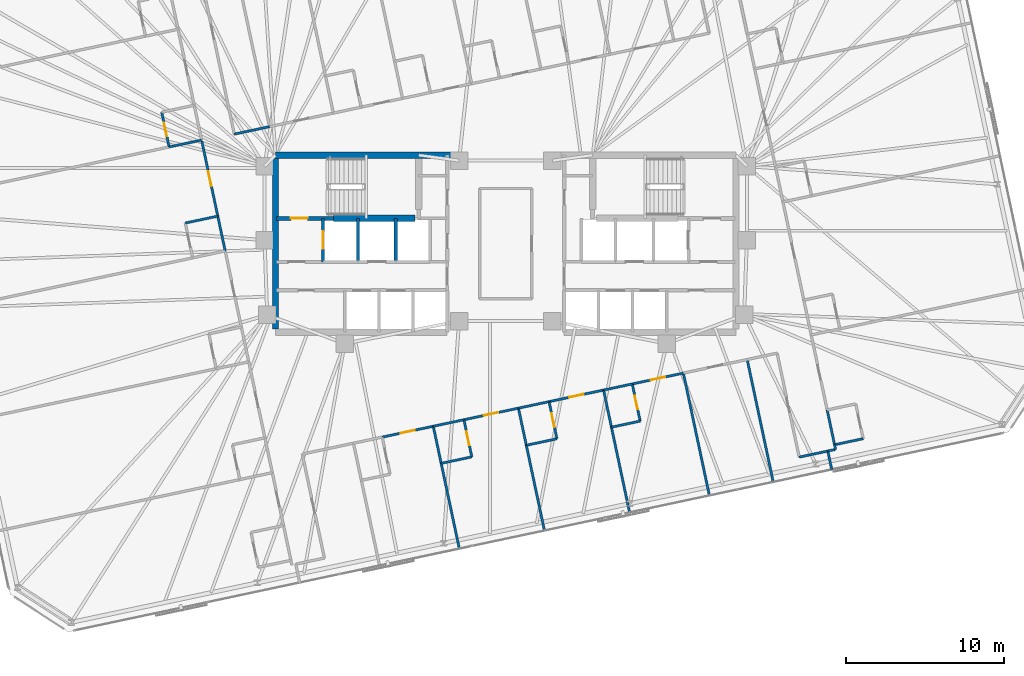
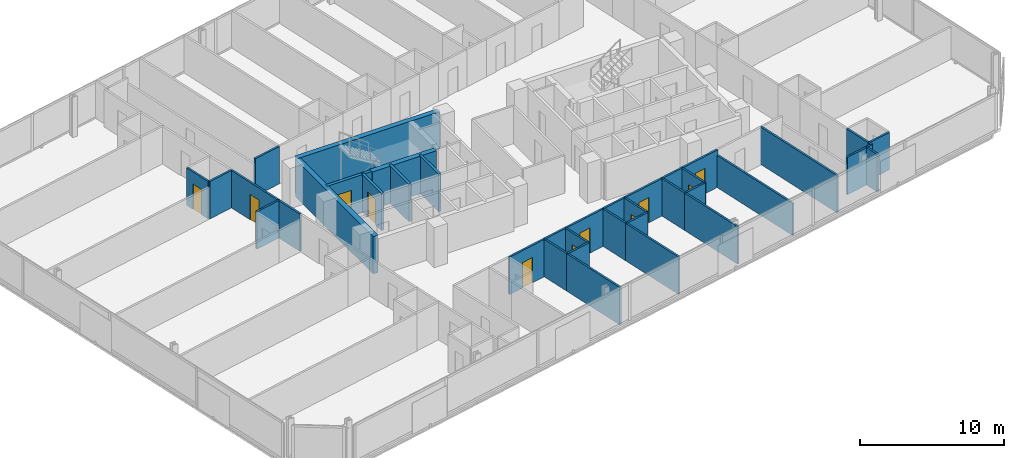
# One storey, part 15 of 20: 40 walls, 11 doors, 11 openings.
"""IFC4 building model written with IfcOpenShell, lengths in metres."""

from ifc_helpers import new_model, si_unit, direction, frame, frame_2d, origin, place, context, subcontext, project, spatial, rectangle, extrude, material, layer, layer_set, type_object, element, fill, save


model = new_model("IFC4")

# Units and contexts
model_context = context("Model", 3, precision=1e-05, world=origin(), true_north=direction((0.0, 1.0)))
body_context = subcontext(model_context, "Body", "Model", "MODEL_VIEW")
ifc_project = project(units=[si_unit("LENGTHUNIT", "METRE"), si_unit("AREAUNIT", "SQUARE_METRE"), si_unit("VOLUMEUNIT", "CUBIC_METRE"), si_unit("PLANEANGLEUNIT", "RADIAN"), si_unit("MASSUNIT", "GRAM", prefix="KILO")], contexts=[model_context])

# Site, building, storey
site_placement = place(None, origin())
site = spatial("IfcSite", under=ifc_project, at=site_placement, CompositionType="ELEMENT")
building_placement = place(site_placement, origin())
building = spatial("IfcBuilding", under=site, at=building_placement, Name="Menara Jurai Vektor", CompositionType="ELEMENT")
storey_placement = place(building_placement, frame((0.0, 0.0, 185.39990234375)))
storey = spatial("IfcBuildingStorey", under=building, at=storey_placement, Name="L48", CompositionType="ELEMENT", Elevation=185.39990234375)

# Wall, opening, door
ifc_material_1 = material(Name="Concrete C40/50", Category="concrete")
ifc_layer_1 = layer(ifc_material_1, 0.25)
ifc_layer_set_1 = layer_set([ifc_layer_1], Name="Concrete C40/50")
wall_type_1 = type_object("IfcWallType", Name="INT-WALL-CORE-250", PredefinedType="STANDARD", material=ifc_layer_set_1)
wall_1_placement = place(storey_placement, frame((-14.5, 1.60009765625, 0.0), z_axis=(0.0, 0.0, 1.0), x_axis=(1.0, 0.0, 0.0)))
wall_1 = element("IfcWall", 1, at=wall_1_placement, inside=storey, type_object=wall_type_1, Name="Interior Wall IW-250 L48", PredefinedType="STANDARD", context=body_context, shape_type="SweptSolid", body=[
    extrude(rectangle(XDim=3.60009765625, YDim=0.25, at=frame_2d((1.800048828125, 0.0))), origin(), (0.0, 0.0, 1.0), 3.175048828125),
])
opening_1_placement = place(wall_1_placement, frame((0.919921875, 0.0, 0.0)))
opening_1 = element("IfcOpeningElement", 2, at=opening_1_placement, cuts=wall_1, Name="Opening D-L48-ST1", PredefinedType="OPENING", context=body_context, shape_type="SweptSolid", body=[
    extrude(rectangle(XDim=1.050048828125, YDim=2.14990234375, at=frame_2d((0.52490234375, 1.074951171875))), frame((0.0, 0.135009765625, 0.0), z_axis=(0.0, -1.0, 0.0), x_axis=(1.0, 0.0, 0.0)), (0.0, 0.0, 1.0), 0.27001953125),
])
ifc_material_2 = material(Name="Fire-Rated Steel Door", Category="steel")
door_type_1 = type_object("IfcDoorType", Name="DR-STAIR-1050", OperationType="NOTDEFINED", PredefinedType="DOOR", material=ifc_material_2)
door_1_placement = place(opening_1_placement, origin())
door_1 = element("IfcDoor", 3, at=door_1_placement, inside=storey, type_object=door_type_1, Name="Exit Stair ST1 Door L48", OperationType="SINGLE_SWING_RIGHT", OverallHeight=2.14990234375, OverallWidth=1.050048828125, PredefinedType="DOOR", context=body_context, shape_type="SweptSolid", body=[
    extrude(rectangle(XDim=1.050048828125, YDim=2.14990234375, at=frame_2d((0.52490234375, 1.074951171875))), frame((0.0, 0.02490234375, 0.0), z_axis=(0.0, -1.0, 0.0), x_axis=(1.0, 0.0, 0.0)), (0.0, 0.0, 1.0), 0.050048828125),
])
fill(opening_1, door_1)

wall_2_placement = place(storey_placement, frame((-11.550048828125, -1.14990234375, 0.0), z_axis=(0.0, 0.0, 1.0), x_axis=(0.0, 1.0, 0.0)))
wall_2 = element("IfcWall", 4, at=wall_2_placement, inside=storey, type_object=wall_type_1, Name="Interior Wall IW-250 L48", PredefinedType="STANDARD", context=body_context, shape_type="SweptSolid", body=[
    extrude(rectangle(XDim=2.75, YDim=0.199951171875, at=frame_2d((1.375, 0.0))), origin(), (0.0, 0.0, 1.0), 3.175048828125),
])
opening_2_placement = place(wall_2_placement, frame((0.824951171875, 0.0, 0.0)))
opening_2 = element("IfcOpeningElement", 5, at=opening_2_placement, cuts=wall_2, Name="Opening LD-L48-FL1", PredefinedType="OPENING", context=body_context, shape_type="SweptSolid", body=[
    extrude(rectangle(XDim=1.10009765625, YDim=2.14990234375, at=frame_2d((0.550048828125, 1.074951171875))), frame((0.0, 0.10986328125, 0.0), z_axis=(0.0, -1.0, 0.0), x_axis=(1.0, 0.0, 0.0)), (0.0, 0.0, 1.0), 0.219970703125),
])
ifc_material_3 = material(Name="Stainless Steel Sliding Lift Landing Door", Category="steel")
door_type_2 = type_object("IfcDoorType", Name="DR-LIFT-FIRE-1100", OperationType="NOTDEFINED", PredefinedType="DOOR", material=ifc_material_3)
door_2_placement = place(opening_2_placement, origin())
door_2 = element("IfcDoor", 6, at=door_2_placement, inside=storey, type_object=door_type_2, Name="Lift Landing Door FL1 L48", OperationType="SLIDING_TO_RIGHT", OverallHeight=2.14990234375, OverallWidth=1.10009765625, PredefinedType="DOOR", context=body_context, shape_type="SweptSolid", body=[
    extrude(rectangle(XDim=1.10009765625, YDim=2.14990234375, at=frame_2d((0.550048828125, 1.074951171875))), frame((0.0, 0.02490234375, 0.0), z_axis=(0.0, -1.0, 0.0), x_axis=(1.0, 0.0, 0.0)), (0.0, 0.0, 1.0), 0.050048828125),
])
fill(opening_2, door_2)

# Walls
wall_3_placement = place(storey_placement, frame((-9.35009765625, -1.14990234375, 0.0), z_axis=(0.0, 0.0, 1.0), x_axis=(0.0, 1.0, 0.0)))
element("IfcWall", 7, at=wall_3_placement, inside=storey, type_object=wall_type_1, Name="Interior Wall IW-250 L48", PredefinedType="STANDARD", context=body_context, shape_type="SweptSolid", body=[
    extrude(rectangle(XDim=2.75, YDim=0.199951171875, at=frame_2d((1.375, 0.0))), origin(), (0.0, 0.0, 1.0), 3.175048828125),
])
ifc_material_4 = material(Name="Gypsum Fireboard Partition", Category="gypsum")
ifc_layer_2 = layer(ifc_material_4, 0.14990234375)
ifc_layer_set_2 = layer_set([ifc_layer_2], Name="Gypsum Fireboard Partition")
wall_type_2 = type_object("IfcWallType", Name="INT-WALL-CORR-150", PredefinedType="PARTITIONING", material=ifc_layer_set_2)
wall_4_placement = place(storey_placement, frame((-17.162353515625, 6.92578125, 0.0), z_axis=(0.0, 0.0, 1.0), x_axis=(0.978124500572, 0.208020338863, 0.0)))
element("IfcWall", 8, at=wall_4_placement, inside=storey, type_object=wall_type_2, Name="Interior Wall IW-150 L48", PredefinedType="PARTITIONING", context=body_context, shape_type="SweptSolid", body=[
    extrude(rectangle(XDim=2.27685546875, YDim=0.14990234375, at=frame_2d((1.138427734375, 0.0))), origin(), (0.0, 0.0, 1.0), 3.175048828125),
])

# Wall, opening, door
wall_5_placement = place(storey_placement, frame((-7.80859375, -12.23291015625, 0.0), z_axis=(0.0, 0.0, 1.0), x_axis=(0.97814625873, 0.20791800435, 0.0)))
wall_5 = element("IfcWall", 9, at=wall_5_placement, inside=storey, type_object=wall_type_2, Name="Interior Wall IW-150 L48", PredefinedType="PARTITIONING", context=body_context, shape_type="SweptSolid", body=[
    extrude(rectangle(XDim=3.302001953125, YDim=0.14990234375, at=frame_2d((1.65087890625, 0.0))), origin(), (0.0, 0.0, 1.0), 3.175048828125),
])
opening_3_placement = place(wall_5_placement, frame((1.19091796875, 0.0, 0.0)))
opening_3 = element("IfcOpeningElement", 10, at=opening_3_placement, cuts=wall_5, Name="Opening D48-20", PredefinedType="OPENING", context=body_context, shape_type="SweptSolid", body=[
    extrude(rectangle(XDim=0.919921875, YDim=2.14990234375, at=frame_2d((0.4599609375, 1.074951171875))), frame((0.0, 0.0849609375, 0.0), z_axis=(0.0, -1.0, 0.0), x_axis=(1.0, 0.0, 0.0)), (0.0, 0.0, 1.0), 0.169921875),
])
ifc_material_5 = material(Name="Solid Core Timber Fire Door", Category="wood")
door_type_3 = type_object("IfcDoorType", Name="DR-ENTRY-950", OperationType="NOTDEFINED", PredefinedType="DOOR", material=ifc_material_5)
door_3_placement = place(opening_3_placement, origin())
door_3 = element("IfcDoor", 11, at=door_3_placement, inside=storey, type_object=door_type_3, Name="Interior Door D48-20", OperationType="SINGLE_SWING_LEFT", OverallHeight=2.14990234375, OverallWidth=0.919921875, PredefinedType="DOOR", context=body_context, shape_type="SweptSolid", body=[
    extrude(rectangle(XDim=0.919921875, YDim=2.14990234375, at=frame_2d((0.4599609375, 1.074951171875))), frame((0.0, 0.02490234375, 0.0), z_axis=(0.0, -1.0, 0.0), x_axis=(1.0, 0.0, 0.0)), (0.0, 0.0, 1.0), 0.050048828125),
])
fill(opening_3, door_3)

wall_6_placement = place(storey_placement, frame((-2.64111328125, -11.134521484375, 0.0), z_axis=(0.0, 0.0, 1.0), x_axis=(0.978150924733, 0.207896052016, 0.0)))
wall_6 = element("IfcWall", 12, at=wall_6_placement, inside=storey, type_object=wall_type_2, Name="Interior Wall IW-150 L48", PredefinedType="PARTITIONING", context=body_context, shape_type="SweptSolid", body=[
    extrude(rectangle(XDim=3.52294921875, YDim=0.14990234375, at=frame_2d((1.761474609375, 0.0))), origin(), (0.0, 0.0, 1.0), 3.175048828125),
])
opening_4_placement = place(wall_6_placement, frame((1.301513671875, 0.0, 0.0)))
opening_4 = element("IfcOpeningElement", 13, at=opening_4_placement, cuts=wall_6, Name="Opening D48-22", PredefinedType="OPENING", context=body_context, shape_type="SweptSolid", body=[
    extrude(rectangle(XDim=0.919921875, YDim=2.14990234375, at=frame_2d((0.4599609375, 1.074951171875))), frame((0.0, 0.0849609375, 0.0), z_axis=(0.0, -1.0, 0.0), x_axis=(1.0, 0.0, 0.0)), (0.0, 0.0, 1.0), 0.169921875),
])
door_4_placement = place(opening_4_placement, origin())
door_4 = element("IfcDoor", 14, at=door_4_placement, inside=storey, type_object=door_type_3, Name="Interior Door D48-22", OperationType="SINGLE_SWING_LEFT", OverallHeight=2.14990234375, OverallWidth=0.919921875, PredefinedType="DOOR", context=body_context, shape_type="SweptSolid", body=[
    extrude(rectangle(XDim=0.919921875, YDim=2.14990234375, at=frame_2d((0.4599609375, 1.074951171875))), frame((0.0, 0.02490234375, 0.0), z_axis=(0.0, -1.0, 0.0), x_axis=(1.0, 0.0, 0.0)), (0.0, 0.0, 1.0), 0.050048828125),
])
fill(opening_4, door_4)

# Wall
wall_7_placement = place(storey_placement, frame((-4.578857421875, -11.54638671875, 0.0), z_axis=(0.0, 0.0, 1.0), x_axis=(0.978149140323, 0.20790444749, 0.0)))
element("IfcWall", 15, at=wall_7_placement, inside=storey, type_object=wall_type_2, Name="Interior Wall IW-150 L48", PredefinedType="PARTITIONING", context=body_context, shape_type="SweptSolid", body=[
    extrude(rectangle(XDim=1.98095703125, YDim=0.14990234375, at=frame_2d((0.990478515625, 0.0))), origin(), (0.0, 0.0, 1.0), 3.175048828125),
])

# Wall, opening, door
wall_8_placement = place(storey_placement, frame((2.74267578125, -9.990234375, 0.0), z_axis=(0.0, 0.0, 1.0), x_axis=(0.978153036861, 0.207886114205, 0.0)))
wall_8 = element("IfcWall", 16, at=wall_8_placement, inside=storey, type_object=wall_type_2, Name="Interior Wall IW-150 L48", PredefinedType="PARTITIONING", context=body_context, shape_type="SweptSolid", body=[
    extrude(rectangle(XDim=3.52197265625, YDim=0.14990234375, at=frame_2d((1.760986328125, 0.0))), origin(), (0.0, 0.0, 1.0), 3.175048828125),
])
opening_5_placement = place(wall_8_placement, frame((1.301025390625, 0.0, 0.0)))
opening_5 = element("IfcOpeningElement", 17, at=opening_5_placement, cuts=wall_8, Name="Opening D48-24", PredefinedType="OPENING", context=body_context, shape_type="SweptSolid", body=[
    extrude(rectangle(XDim=0.919921875, YDim=2.14990234375, at=frame_2d((0.4599609375, 1.074951171875))), frame((0.0, 0.0849609375, 0.0), z_axis=(0.0, -1.0, 0.0), x_axis=(1.0, 0.0, 0.0)), (0.0, 0.0, 1.0), 0.169921875),
])
door_5_placement = place(opening_5_placement, origin())
door_5 = element("IfcDoor", 18, at=door_5_placement, inside=storey, type_object=door_type_3, Name="Interior Door D48-24", OperationType="SINGLE_SWING_LEFT", OverallHeight=2.14990234375, OverallWidth=0.919921875, PredefinedType="DOOR", context=body_context, shape_type="SweptSolid", body=[
    extrude(rectangle(XDim=0.919921875, YDim=2.14990234375, at=frame_2d((0.4599609375, 1.074951171875))), frame((0.0, 0.02490234375, 0.0), z_axis=(0.0, -1.0, 0.0), x_axis=(1.0, 0.0, 0.0)), (0.0, 0.0, 1.0), 0.050048828125),
])
fill(opening_5, door_5)

# Wall
wall_9_placement = place(storey_placement, frame((0.804931640625, -10.402099609375, 0.0), z_axis=(0.0, 0.0, 1.0), x_axis=(0.978149140323, 0.20790444749, 0.0)))
element("IfcWall", 19, at=wall_9_placement, inside=storey, type_object=wall_type_2, Name="Interior Wall IW-150 L48", PredefinedType="PARTITIONING", context=body_context, shape_type="SweptSolid", body=[
    extrude(rectangle(XDim=1.98095703125, YDim=0.14990234375, at=frame_2d((0.990478515625, 0.0))), origin(), (0.0, 0.0, 1.0), 3.175048828125),
])

# Wall, opening, door
wall_10_placement = place(storey_placement, frame((8.004150390625, -8.871826171875, 0.0), z_axis=(0.0, 0.0, 1.0), x_axis=(0.97814625873, 0.20791800435, 0.0)))
wall_10 = element("IfcWall", 20, at=wall_10_placement, inside=storey, type_object=wall_type_2, Name="Interior Wall IW-150 L48", PredefinedType="PARTITIONING", context=body_context, shape_type="SweptSolid", body=[
    extrude(rectangle(XDim=3.302001953125, YDim=0.14990234375, at=frame_2d((1.65087890625, 0.0))), origin(), (0.0, 0.0, 1.0), 3.175048828125),
])
opening_6_placement = place(wall_10_placement, frame((1.19091796875, 0.0, 0.0)))
opening_6 = element("IfcOpeningElement", 21, at=opening_6_placement, cuts=wall_10, Name="Opening D48-26", PredefinedType="OPENING", context=body_context, shape_type="SweptSolid", body=[
    extrude(rectangle(XDim=0.919921875, YDim=2.14990234375, at=frame_2d((0.4599609375, 1.074951171875))), frame((0.0, 0.0849609375, 0.0), z_axis=(0.0, -1.0, 0.0), x_axis=(1.0, 0.0, 0.0)), (0.0, 0.0, 1.0), 0.169921875),
])
door_6_placement = place(opening_6_placement, origin())
door_6 = element("IfcDoor", 22, at=door_6_placement, inside=storey, type_object=door_type_3, Name="Interior Door D48-26", OperationType="SINGLE_SWING_LEFT", OverallHeight=2.14990234375, OverallWidth=0.919921875, PredefinedType="DOOR", context=body_context, shape_type="SweptSolid", body=[
    extrude(rectangle(XDim=0.919921875, YDim=2.14990234375, at=frame_2d((0.4599609375, 1.074951171875))), frame((0.0, 0.02490234375, 0.0), z_axis=(0.0, -1.0, 0.0), x_axis=(1.0, 0.0, 0.0)), (0.0, 0.0, 1.0), 0.050048828125),
])
fill(opening_6, door_6)

# Walls
wall_11_placement = place(storey_placement, frame((6.187744140625, -9.258056640625, 0.0), z_axis=(0.0, 0.0, 1.0), x_axis=(0.978132112624, 0.207984543303, 0.0)))
element("IfcWall", 23, at=wall_11_placement, inside=storey, type_object=wall_type_2, Name="Interior Wall IW-150 L48", PredefinedType="PARTITIONING", context=body_context, shape_type="SweptSolid", body=[
    extrude(rectangle(XDim=1.85693359375, YDim=0.14990234375, at=frame_2d((0.928466796875, 0.0))), origin(), (0.0, 0.0, 1.0), 3.175048828125),
])
wall_12_placement = place(storey_placement, frame((18.5595703125, -13.498291015625, 0.0), z_axis=(0.0, 0.0, 1.0), x_axis=(0.978160192495, 0.207852442415, 0.0)))
element("IfcWall", 24, at=wall_12_placement, inside=storey, type_object=wall_type_2, Name="Interior Wall IW-150 L48", PredefinedType="PARTITIONING", context=body_context, shape_type="SweptSolid", body=[
    extrude(rectangle(XDim=1.849853515625, YDim=0.14990234375, at=frame_2d((0.9248046875, 0.0))), origin(), (0.0, 0.0, 1.0), 3.175048828125),
])

# Wall, opening, door
wall_13_placement = place(storey_placement, frame((-18.20703125, 1.740478515625, 0.0), z_axis=(0.0, 0.0, 1.0), x_axis=(-0.20793874598, 0.97814184959, 0.0)))
wall_13 = element("IfcWall", 25, at=wall_13_placement, inside=storey, type_object=wall_type_2, Name="Interior Wall IW-150 L48", PredefinedType="PARTITIONING", context=body_context, shape_type="SweptSolid", body=[
    extrude(rectangle(XDim=4.85498046875, YDim=0.14990234375, at=frame_2d((2.427490234375, 0.0))), origin(), (0.0, 0.0, 1.0), 3.175048828125),
])
opening_7_placement = place(wall_13_placement, frame((1.952392578125, 0.0, 0.0)))
opening_7 = element("IfcOpeningElement", 26, at=opening_7_placement, cuts=wall_13, Name="Opening D48-36", PredefinedType="OPENING", context=body_context, shape_type="SweptSolid", body=[
    extrude(rectangle(XDim=0.949951171875, YDim=2.14990234375, at=frame_2d((0.47509765625, 1.074951171875))), frame((0.0, 0.0849609375, 0.0), z_axis=(0.0, -1.0, 0.0), x_axis=(1.0, 0.0, 0.0)), (0.0, 0.0, 1.0), 0.169921875),
])
door_7_placement = place(opening_7_placement, origin())
door_7 = element("IfcDoor", 27, at=door_7_placement, inside=storey, type_object=door_type_3, Name="Interior Door D48-36", OperationType="SINGLE_SWING_LEFT", OverallHeight=2.14990234375, OverallWidth=0.949951171875, PredefinedType="DOOR", context=body_context, shape_type="SweptSolid", body=[
    extrude(rectangle(XDim=0.949951171875, YDim=2.14990234375, at=frame_2d((0.47509765625, 1.074951171875))), frame((0.0, 0.02490234375, 0.0), z_axis=(0.0, -1.0, 0.0), x_axis=(1.0, 0.0, 0.0)), (0.0, 0.0, 1.0), 0.050048828125),
])
fill(opening_7, door_7)

# Walls
wall_14_placement = place(storey_placement, frame((-17.7392578125, -0.46044921875, 0.0), z_axis=(0.0, 0.0, 1.0), x_axis=(-0.207891197838, 0.978151956427, 0.0)))
element("IfcWall", 28, at=wall_14_placement, inside=storey, type_object=wall_type_2, Name="Interior Wall IW-150 L48", PredefinedType="PARTITIONING", context=body_context, shape_type="SweptSolid", body=[
    extrude(rectangle(XDim=2.25, YDim=0.14990234375, at=frame_2d((1.125, 0.0))), origin(), (0.0, 0.0, 1.0), 3.175048828125),
])
wall_15_placement = place(storey_placement, frame((20.369140625, -13.11376953125, 0.0), z_axis=(0.0, 0.0, 1.0), x_axis=(0.978143962546, 0.207928806409, 0.0)))
element("IfcWall", 29, at=wall_15_placement, inside=storey, type_object=wall_type_2, Name="Interior Wall IW-150 L48", PredefinedType="PARTITIONING", context=body_context, shape_type="SweptSolid", body=[
    extrude(rectangle(XDim=0.500244140625, YDim=0.14990234375, at=frame_2d((0.25, 0.0))), origin(), (0.0, 0.0, 1.0), 3.175048828125),
])
wall_16_placement = place(storey_placement, frame((20.8583984375, -13.009765625, 0.0), z_axis=(0.0, 0.0, 1.0), x_axis=(-0.208306395052, 0.978063620518, 0.0)))
element("IfcWall", 30, at=wall_16_placement, inside=storey, type_object=wall_type_2, Name="Interior Wall IW-150 L48", PredefinedType="PARTITIONING", context=body_context, shape_type="SweptSolid", body=[
    extrude(rectangle(XDim=0.300048828125, YDim=0.14990234375, at=frame_2d((0.14990234375, 0.0))), origin(), (0.0, 0.0, 1.0), 3.175048828125),
])
wall_17_placement = place(storey_placement, frame((20.7958984375, -12.71630859375, 0.0), z_axis=(0.0, 0.0, 1.0), x_axis=(-0.207891197838, 0.978151956427, 0.0)))
element("IfcWall", 31, at=wall_17_placement, inside=storey, type_object=wall_type_2, Name="Interior Wall IW-150 L48", PredefinedType="PARTITIONING", context=body_context, shape_type="SweptSolid", body=[
    extrude(rectangle(XDim=2.25, YDim=0.14990234375, at=frame_2d((1.125, 0.0))), origin(), (0.0, 0.0, 1.0), 3.175048828125),
])
wall_18_placement = place(storey_placement, frame((-2.93212890625, -19.29345703125, 0.0), z_axis=(0.0, 0.0, 1.0), x_axis=(-0.20791588359, 0.978146709523, 0.0)))
element("IfcWall", 32, at=wall_18_placement, inside=storey, type_object=wall_type_2, Name="Interior Wall IW-150 L48", PredefinedType="PARTITIONING", context=body_context, shape_type="SweptSolid", body=[
    extrude(rectangle(XDim=5.52001953125, YDim=0.14990234375, at=frame_2d((2.760009765625, 0.0))), origin(), (0.0, 0.0, 1.0), 3.175048828125),
])
wall_19_placement = place(storey_placement, frame((-4.079833984375, -13.89404296875, 0.0), z_axis=(0.0, 0.0, 1.0), x_axis=(-0.207917150959, 0.978146440129, 0.0)))
element("IfcWall", 33, at=wall_19_placement, inside=storey, type_object=wall_type_2, Name="Interior Wall IW-150 L48", PredefinedType="PARTITIONING", context=body_context, shape_type="SweptSolid", body=[
    extrude(rectangle(XDim=2.400146484375, YDim=0.14990234375, at=frame_2d((1.2001953125, 0.0))), origin(), (0.0, 0.0, 1.0), 3.175048828125),
])
wall_20_placement = place(storey_placement, frame((-4.079833984375, -13.89404296875, 0.0), z_axis=(0.0, 0.0, 1.0), x_axis=(0.978149140323, 0.20790444749, 0.0)))
element("IfcWall", 34, at=wall_20_placement, inside=storey, type_object=wall_type_2, Name="Interior Wall IW-150 L48", PredefinedType="PARTITIONING", context=body_context, shape_type="SweptSolid", body=[
    extrude(rectangle(XDim=1.98095703125, YDim=0.14990234375, at=frame_2d((0.990478515625, 0.0))), origin(), (0.0, 0.0, 1.0), 3.175048828125),
])

# Wall, opening, door
wall_21_placement = place(storey_placement, frame((-2.14208984375, -13.482177734375, 0.0), z_axis=(0.0, 0.0, 1.0), x_axis=(-0.207917150959, 0.978146440129, 0.0)))
wall_21 = element("IfcWall", 35, at=wall_21_placement, inside=storey, type_object=wall_type_2, Name="Interior Wall IW-150 L48", PredefinedType="PARTITIONING", context=body_context, shape_type="SweptSolid", body=[
    extrude(rectangle(XDim=2.400146484375, YDim=0.14990234375, at=frame_2d((1.2001953125, 0.0))), origin(), (0.0, 0.0, 1.0), 3.175048828125),
])
opening_8_placement = place(wall_21_placement, frame((0.760009765625, 0.0, 0.0)))
opening_8 = element("IfcOpeningElement", 36, at=opening_8_placement, cuts=wall_21, Name="Opening D48-23", PredefinedType="OPENING", context=body_context, shape_type="SweptSolid", body=[
    extrude(rectangle(XDim=0.8798828125, YDim=2.14990234375, at=frame_2d((0.43994140625, 1.074951171875))), frame((0.0, 0.0849609375, 0.0), z_axis=(0.0, -1.0, 0.0), x_axis=(1.0, 0.0, 0.0)), (0.0, 0.0, 1.0), 0.169921875),
])
ifc_material_6 = material(Name="Moisture-Resistant Timber Door", Category="wood")
door_type_4 = type_object("IfcDoorType", Name="DR-BATH-880", OperationType="NOTDEFINED", PredefinedType="DOOR", material=ifc_material_6)
door_8_placement = place(opening_8_placement, origin())
door_8 = element("IfcDoor", 37, at=door_8_placement, inside=storey, type_object=door_type_4, Name="Interior Door D48-23", OperationType="SINGLE_SWING_RIGHT", OverallHeight=2.14990234375, OverallWidth=0.8798828125, PredefinedType="DOOR", context=body_context, shape_type="SweptSolid", body=[
    extrude(rectangle(XDim=0.8798828125, YDim=2.14990234375, at=frame_2d((0.43994140625, 1.074951171875))), frame((0.0, 0.02490234375, 0.0), z_axis=(0.0, -1.0, 0.0), x_axis=(1.0, 0.0, 0.0)), (0.0, 0.0, 1.0), 0.050048828125),
])
fill(opening_8, door_8)

# Walls
wall_22_placement = place(storey_placement, frame((2.45166015625, -18.149169921875, 0.0), z_axis=(0.0, 0.0, 1.0), x_axis=(-0.20791588359, 0.978146709523, 0.0)))
element("IfcWall", 38, at=wall_22_placement, inside=storey, type_object=wall_type_2, Name="Interior Wall IW-150 L48", PredefinedType="PARTITIONING", context=body_context, shape_type="SweptSolid", body=[
    extrude(rectangle(XDim=5.52001953125, YDim=0.14990234375, at=frame_2d((2.760009765625, 0.0))), origin(), (0.0, 0.0, 1.0), 3.175048828125),
])
wall_23_placement = place(storey_placement, frame((1.303955078125, -12.749755859375, 0.0), z_axis=(0.0, 0.0, 1.0), x_axis=(-0.207917150959, 0.978146440129, 0.0)))
element("IfcWall", 39, at=wall_23_placement, inside=storey, type_object=wall_type_2, Name="Interior Wall IW-150 L48", PredefinedType="PARTITIONING", context=body_context, shape_type="SweptSolid", body=[
    extrude(rectangle(XDim=2.400146484375, YDim=0.14990234375, at=frame_2d((1.2001953125, 0.0))), origin(), (0.0, 0.0, 1.0), 3.175048828125),
])
wall_24_placement = place(storey_placement, frame((1.303955078125, -12.749755859375, 0.0), z_axis=(0.0, 0.0, 1.0), x_axis=(0.978149140323, 0.20790444749, 0.0)))
element("IfcWall", 40, at=wall_24_placement, inside=storey, type_object=wall_type_2, Name="Interior Wall IW-150 L48", PredefinedType="PARTITIONING", context=body_context, shape_type="SweptSolid", body=[
    extrude(rectangle(XDim=1.98095703125, YDim=0.14990234375, at=frame_2d((0.990478515625, 0.0))), origin(), (0.0, 0.0, 1.0), 3.175048828125),
])

# Wall, opening, door
wall_25_placement = place(storey_placement, frame((3.24169921875, -12.337890625, 0.0), z_axis=(0.0, 0.0, 1.0), x_axis=(-0.207917150959, 0.978146440129, 0.0)))
wall_25 = element("IfcWall", 41, at=wall_25_placement, inside=storey, type_object=wall_type_2, Name="Interior Wall IW-150 L48", PredefinedType="PARTITIONING", context=body_context, shape_type="SweptSolid", body=[
    extrude(rectangle(XDim=2.400146484375, YDim=0.14990234375, at=frame_2d((1.2001953125, 0.0))), origin(), (0.0, 0.0, 1.0), 3.175048828125),
])
opening_9_placement = place(wall_25_placement, frame((0.760009765625, 0.0, 0.0)))
opening_9 = element("IfcOpeningElement", 42, at=opening_9_placement, cuts=wall_25, Name="Opening D48-25", PredefinedType="OPENING", context=body_context, shape_type="SweptSolid", body=[
    extrude(rectangle(XDim=0.8798828125, YDim=2.14990234375, at=frame_2d((0.43994140625, 1.074951171875))), frame((0.0, 0.0849609375, 0.0), z_axis=(0.0, -1.0, 0.0), x_axis=(1.0, 0.0, 0.0)), (0.0, 0.0, 1.0), 0.169921875),
])
door_9_placement = place(opening_9_placement, origin())
door_9 = element("IfcDoor", 43, at=door_9_placement, inside=storey, type_object=door_type_4, Name="Interior Door D48-25", OperationType="SINGLE_SWING_RIGHT", OverallHeight=2.14990234375, OverallWidth=0.8798828125, PredefinedType="DOOR", context=body_context, shape_type="SweptSolid", body=[
    extrude(rectangle(XDim=0.8798828125, YDim=2.14990234375, at=frame_2d((0.43994140625, 1.074951171875))), frame((0.0, 0.02490234375, 0.0), z_axis=(0.0, -1.0, 0.0), x_axis=(1.0, 0.0, 0.0)), (0.0, 0.0, 1.0), 0.050048828125),
])
fill(opening_9, door_9)

# Walls
wall_26_placement = place(storey_placement, frame((7.834228515625, -17.0048828125, 0.0), z_axis=(0.0, 0.0, 1.0), x_axis=(-0.207882560392, 0.978153792144, 0.0)))
element("IfcWall", 44, at=wall_26_placement, inside=storey, type_object=wall_type_2, Name="Interior Wall IW-150 L48", PredefinedType="PARTITIONING", context=body_context, shape_type="SweptSolid", body=[
    extrude(rectangle(XDim=5.519775390625, YDim=0.14990234375, at=frame_2d((2.759765625, 0.0))), origin(), (0.0, 0.0, 1.0), 3.175048828125),
])
wall_27_placement = place(storey_placement, frame((6.686767578125, -11.605712890625, 0.0), z_axis=(0.0, 0.0, 1.0), x_axis=(-0.207917150959, 0.978146440129, 0.0)))
element("IfcWall", 45, at=wall_27_placement, inside=storey, type_object=wall_type_2, Name="Interior Wall IW-150 L48", PredefinedType="PARTITIONING", context=body_context, shape_type="SweptSolid", body=[
    extrude(rectangle(XDim=2.400146484375, YDim=0.14990234375, at=frame_2d((1.2001953125, 0.0))), origin(), (0.0, 0.0, 1.0), 3.175048828125),
])
wall_28_placement = place(storey_placement, frame((6.686767578125, -11.605712890625, 0.0), z_axis=(0.0, 0.0, 1.0), x_axis=(0.978132112624, 0.207984543303, 0.0)))
element("IfcWall", 46, at=wall_28_placement, inside=storey, type_object=wall_type_2, Name="Interior Wall IW-150 L48", PredefinedType="PARTITIONING", context=body_context, shape_type="SweptSolid", body=[
    extrude(rectangle(XDim=1.85693359375, YDim=0.14990234375, at=frame_2d((0.928466796875, 0.0))), origin(), (0.0, 0.0, 1.0), 3.175048828125),
])

# Wall, opening, door
wall_29_placement = place(storey_placement, frame((8.503173828125, -11.219482421875, 0.0), z_axis=(0.0, 0.0, 1.0), x_axis=(-0.207917150959, 0.978146440129, 0.0)))
wall_29 = element("IfcWall", 47, at=wall_29_placement, inside=storey, type_object=wall_type_2, Name="Interior Wall IW-150 L48", PredefinedType="PARTITIONING", context=body_context, shape_type="SweptSolid", body=[
    extrude(rectangle(XDim=2.400146484375, YDim=0.14990234375, at=frame_2d((1.2001953125, 0.0))), origin(), (0.0, 0.0, 1.0), 3.175048828125),
])
opening_10_placement = place(wall_29_placement, frame((0.760009765625, 0.0, 0.0)))
opening_10 = element("IfcOpeningElement", 48, at=opening_10_placement, cuts=wall_29, Name="Opening D48-27", PredefinedType="OPENING", context=body_context, shape_type="SweptSolid", body=[
    extrude(rectangle(XDim=0.8798828125, YDim=2.14990234375, at=frame_2d((0.43994140625, 1.074951171875))), frame((0.0, 0.0849609375, 0.0), z_axis=(0.0, -1.0, 0.0), x_axis=(1.0, 0.0, 0.0)), (0.0, 0.0, 1.0), 0.169921875),
])
door_10_placement = place(opening_10_placement, origin())
door_10 = element("IfcDoor", 49, at=door_10_placement, inside=storey, type_object=door_type_4, Name="Interior Door D48-27", OperationType="SINGLE_SWING_RIGHT", OverallHeight=2.14990234375, OverallWidth=0.8798828125, PredefinedType="DOOR", context=body_context, shape_type="SweptSolid", body=[
    extrude(rectangle(XDim=0.8798828125, YDim=2.14990234375, at=frame_2d((0.43994140625, 1.074951171875))), frame((0.0, 0.02490234375, 0.0), z_axis=(0.0, -1.0, 0.0), x_axis=(1.0, 0.0, 0.0)), (0.0, 0.0, 1.0), 0.050048828125),
])
fill(opening_10, door_10)

# Walls
wall_30_placement = place(storey_placement, frame((16.91748046875, -15.07421875, 0.0), z_axis=(0.0, 0.0, 1.0), x_axis=(-0.207922536845, 0.978145295277, 0.0)))
element("IfcWall", 50, at=wall_30_placement, inside=storey, type_object=wall_type_2, Name="Interior Wall IW-150 L48", PredefinedType="PARTITIONING", context=body_context, shape_type="SweptSolid", body=[
    extrude(rectangle(XDim=7.919921875, YDim=0.14990234375, at=frame_2d((3.9599609375, 0.0))), origin(), (0.0, 0.0, 1.0), 3.175048828125),
])
wall_31_placement = place(storey_placement, frame((20.61865234375, -14.28759765625, 0.0), z_axis=(0.0, 0.0, 1.0), x_axis=(-0.207917150959, 0.978146440129, 0.0)))
element("IfcWall", 51, at=wall_31_placement, inside=storey, type_object=wall_type_2, Name="Interior Wall IW-150 L48", PredefinedType="PARTITIONING", context=body_context, shape_type="SweptSolid", body=[
    extrude(rectangle(XDim=1.199951171875, YDim=0.14990234375, at=frame_2d((0.60009765625, 0.0))), origin(), (0.0, 0.0, 1.0), 3.175048828125),
])
wall_32_placement = place(storey_placement, frame((-20.26123046875, 1.3037109375, 0.0), z_axis=(0.0, 0.0, 1.0), x_axis=(0.978134617382, 0.207972763311, 0.0)))
element("IfcWall", 52, at=wall_32_placement, inside=storey, type_object=wall_type_2, Name="Interior Wall IW-150 L48", PredefinedType="PARTITIONING", context=body_context, shape_type="SweptSolid", body=[
    extrude(rectangle(XDim=2.10009765625, YDim=0.14990234375, at=frame_2d((1.050048828125, 0.0))), origin(), (0.0, 0.0, 1.0), 3.175048828125),
])
wall_33_placement = place(storey_placement, frame((-21.283447265625, 6.11328125, 0.0), z_axis=(0.0, 0.0, 1.0), x_axis=(0.978153236239, 0.207885176084, 0.0)))
element("IfcWall", 53, at=wall_33_placement, inside=storey, type_object=wall_type_2, Name="Interior Wall IW-150 L48", PredefinedType="PARTITIONING", context=body_context, shape_type="SweptSolid", body=[
    extrude(rectangle(XDim=2.099853515625, YDim=0.14990234375, at=frame_2d((1.0498046875, 0.0))), origin(), (0.0, 0.0, 1.0), 3.175048828125),
])

# Wall, opening, door
wall_34_placement = place(storey_placement, frame((-21.283447265625, 6.11328125, 0.0), z_axis=(0.0, 0.0, 1.0), x_axis=(-0.207891197838, 0.978151956427, 0.0)))
wall_34 = element("IfcWall", 54, at=wall_34_placement, inside=storey, type_object=wall_type_2, Name="Interior Wall IW-150 L48", PredefinedType="PARTITIONING", context=body_context, shape_type="SweptSolid", body=[
    extrude(rectangle(XDim=2.25, YDim=0.14990234375, at=frame_2d((1.125, 0.0))), origin(), (0.0, 0.0, 1.0), 3.175048828125),
])
opening_11_placement = place(wall_34_placement, frame((0.68505859375, 0.0, 0.0)))
opening_11 = element("IfcOpeningElement", 55, at=opening_11_placement, cuts=wall_34, Name="Opening D48-39", PredefinedType="OPENING", context=body_context, shape_type="SweptSolid", body=[
    extrude(rectangle(XDim=0.8798828125, YDim=2.14990234375, at=frame_2d((0.43994140625, 1.074951171875))), frame((0.0, 0.0849609375, 0.0), z_axis=(0.0, -1.0, 0.0), x_axis=(1.0, 0.0, 0.0)), (0.0, 0.0, 1.0), 0.169921875),
])
door_11_placement = place(opening_11_placement, origin())
door_11 = element("IfcDoor", 56, at=door_11_placement, inside=storey, type_object=door_type_4, Name="Interior Door D48-39", OperationType="SINGLE_SWING_RIGHT", OverallHeight=2.14990234375, OverallWidth=0.8798828125, PredefinedType="DOOR", context=body_context, shape_type="SweptSolid", body=[
    extrude(rectangle(XDim=0.8798828125, YDim=2.14990234375, at=frame_2d((0.43994140625, 1.074951171875))), frame((0.0, 0.02490234375, 0.0), z_axis=(0.0, -1.0, 0.0), x_axis=(1.0, 0.0, 0.0)), (0.0, 0.0, 1.0), 0.050048828125),
])
fill(opening_11, door_11)

# Walls
wall_35_placement = place(storey_placement, frame((20.7958984375, -12.71630859375, 0.0), z_axis=(0.0, 0.0, 1.0), x_axis=(0.978160192495, 0.207852442415, 0.0)))
element("IfcWall", 57, at=wall_35_placement, inside=storey, type_object=wall_type_2, Name="Interior Wall IW-150 L48", PredefinedType="PARTITIONING", context=body_context, shape_type="SweptSolid", body=[
    extrude(rectangle(XDim=1.849853515625, YDim=0.14990234375, at=frame_2d((0.9248046875, 0.0))), origin(), (0.0, 0.0, 1.0), 3.175048828125),
])
ifc_layer_3 = layer(ifc_material_4, 0.14990234375)
ifc_layer_set_3 = layer_set([ifc_layer_3], Name="Gypsum Fireboard Partition")
wall_type_3 = type_object("IfcWallType", Name="INT-WALL-CORR-150-H1", PredefinedType="PARTITIONING", material=ifc_layer_set_3)
wall_36_placement = place(storey_placement, frame((12.880615234375, -15.932373046875, 0.0), z_axis=(0.0, 0.0, 1.0), x_axis=(-0.207916267651, 0.978146627887, 0.0)))
element("IfcWall", 58, at=wall_36_placement, inside=storey, type_object=wall_type_3, Name="Interior Wall IW-150 L48", PredefinedType="PARTITIONING", context=body_context, shape_type="SweptSolid", body=[
    extrude(rectangle(XDim=7.920166015625, YDim=0.14990234375, at=frame_2d((3.9599609375, 0.0))), origin(), (0.0, 0.0, 1.0), 2.72509765625),
])
ifc_layer_4 = layer(ifc_material_1, 0.199951171875)
ifc_layer_set_4 = layer_set([ifc_layer_4], Name="Concrete C40/50")
wall_type_4 = type_object("IfcWallType", Name="INT-WALL-SHAFT-200", PredefinedType="STANDARD", material=ifc_layer_set_4)
wall_37_placement = place(storey_placement, frame((-6.949951171875, -1.14990234375, 0.0), z_axis=(0.0, 0.0, 1.0), x_axis=(0.0, 1.0, 0.0)))
element("IfcWall", 59, at=wall_37_placement, inside=storey, type_object=wall_type_4, Name="Interior Wall IW-200 L48", PredefinedType="STANDARD", context=body_context, shape_type="SweptSolid", body=[
    extrude(rectangle(XDim=2.75, YDim=0.199951171875, at=frame_2d((1.375, 0.0))), origin(), (0.0, 0.0, 1.0), 3.175048828125),
])
ifc_material_7 = material(Name="Concrete C50/60", Category="concrete")
ifc_layer_5 = layer(ifc_material_7, 0.39990234375)
ifc_layer_set_5 = layer_set([ifc_layer_5], Name="Concrete C50/60")
wall_type_5 = type_object("IfcWallType", Name="STR-WALL-CORE400", PredefinedType="SHEAR", material=ifc_layer_set_5)
wall_38_placement = place(storey_placement, frame((-14.56005859375, 5.60009765625, 0.0), z_axis=(0.0, 0.0, 1.0), x_axis=(1.0, 0.0, 0.0)))
element("IfcWall", 60, at=wall_38_placement, inside=storey, type_object=wall_type_5, Name="Core Shear Wall CW-W-N L48", PredefinedType="SHEAR", context=body_context, shape_type="SweptSolid", body=[
    extrude(rectangle(XDim=11.41015625, YDim=0.39990234375, at=frame_2d((5.705078125, 0.0))), origin(), (0.0, 0.0, 1.0), 3.175048828125),
])
wall_39_placement = place(storey_placement, frame((-14.56005859375, -5.39990234375, 0.0), z_axis=(0.0, 0.0, 1.0), x_axis=(0.0, 1.0, 0.0)))
element("IfcWall", 61, at=wall_39_placement, inside=storey, type_object=wall_type_5, Name="Core Shear Wall CW-W-W L48", PredefinedType="SHEAR", context=body_context, shape_type="SweptSolid", body=[
    extrude(rectangle(XDim=10.7998046875, YDim=0.39990234375, at=frame_2d((5.39990234375, 0.0))), origin(), (0.0, 0.0, 1.0), 3.175048828125),
])
wall_40_placement = place(storey_placement, frame((-10.89990234375, 1.60009765625, 0.0), z_axis=(0.0, 0.0, 1.0), x_axis=(1.0, 0.0, 0.0)))
element("IfcWall", 62, at=wall_40_placement, inside=storey, type_object=wall_type_5, Name="Core Shear Wall CW-W-STS L48", PredefinedType="SHEAR", context=body_context, shape_type="SweptSolid", body=[
    extrude(rectangle(XDim=5.14990234375, YDim=0.39990234375, at=frame_2d((2.574951171875, 0.0))), origin(), (0.0, 0.0, 1.0), 3.175048828125),
])

save(model, "model.ifc")
